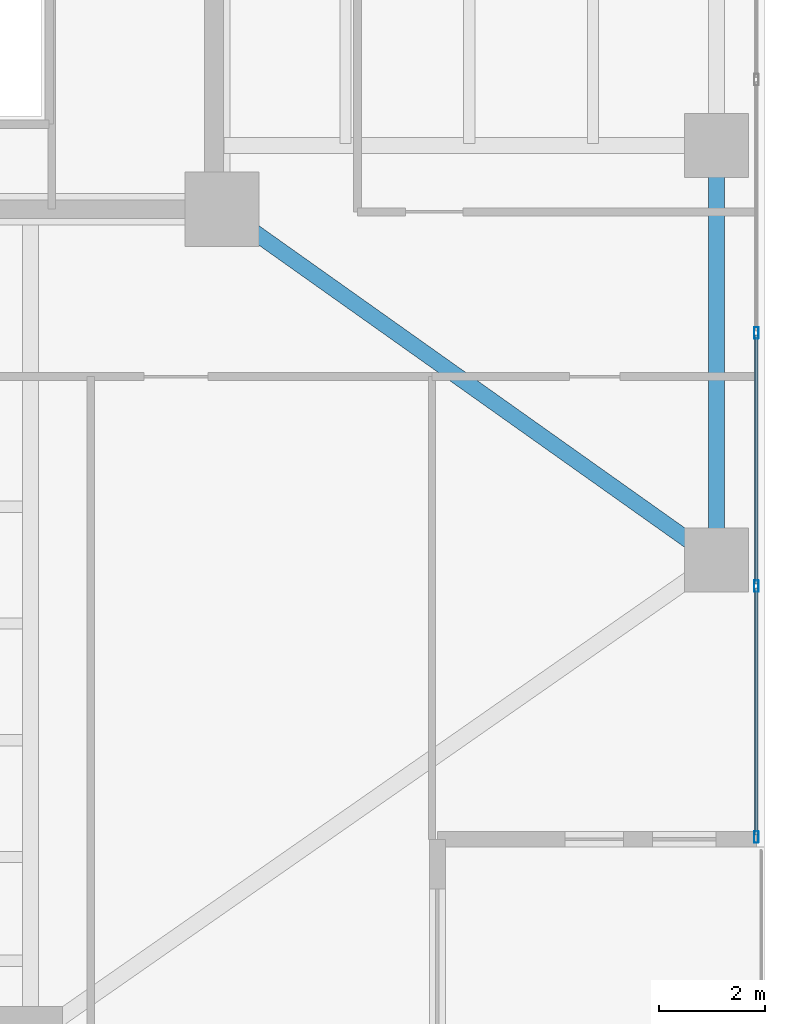
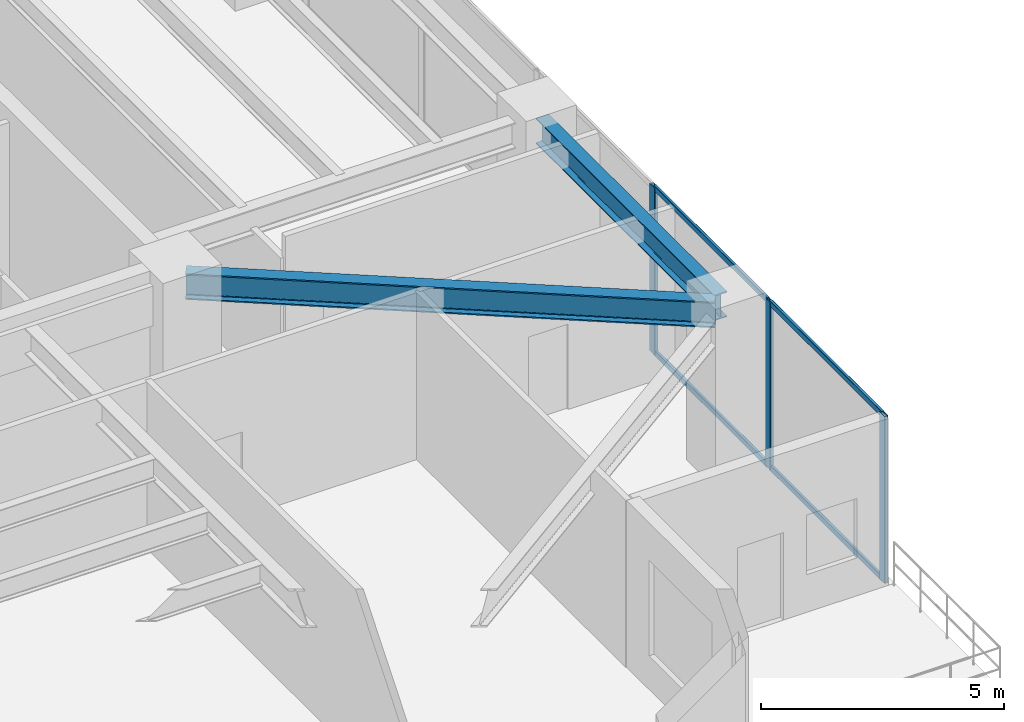
# One storey, part 13 of 40: 7 members, 2 beams, 1 element without a shape of its own.
"""IFC4 building model written with IfcOpenShell, lengths in metres."""

from ifc_helpers import new_model, si_unit, direction, frame, origin, origin_2d, place, context, subcontext, project, spatial, hollow_rectangle, i_section, extrude, material, layer, layer_set, material_profile, profile_set, type_object, element, aggregate, save


model = new_model("IFC4")

# Units and contexts
model_context = context("Model", 3, precision=1e-05, world=origin(), true_north=direction((0.0, 1.0)))
body_context = subcontext(model_context, "Body", "Model", "MODEL_VIEW")
ifc_project = project(units=[si_unit("LENGTHUNIT", "METRE"), si_unit("AREAUNIT", "SQUARE_METRE"), si_unit("VOLUMEUNIT", "CUBIC_METRE"), si_unit("PLANEANGLEUNIT", "RADIAN"), si_unit("MASSUNIT", "GRAM", prefix="KILO")], contexts=[model_context])

# Site, building, storey
site_placement = place(None, origin())
site = spatial("IfcSite", under=ifc_project, at=site_placement, CompositionType="ELEMENT")
building_placement = place(site_placement, origin())
building = spatial("IfcBuilding", under=site, at=building_placement, Name="Tarnavaz Court Tower", CompositionType="ELEMENT")
storey_placement = place(building_placement, frame((0.0, 0.0, 64.199951171875)))
storey = spatial("IfcBuildingStorey", under=building, at=storey_placement, Name="L17", CompositionType="ELEMENT", Elevation=64.199951171875)

# Beams
ifc_material_1 = material(Name="Steel S355", Category="steel")
ifc_material_profile_1 = material_profile(ifc_material_1, i_section(OverallWidth=0.300048828125, OverallDepth=0.64990234375, WebThickness=0.01611328125, FlangeThickness=0.031005859375, FilletRadius=0.027099609375, at=origin_2d()), Name="HEB 650")
ifc_profile_set_1 = profile_set([ifc_material_profile_1], Name="Steel S355")
beam_type_1 = type_object("IfcBeamType", Name="BM-G-HEB650", PredefinedType="USERDEFINED", material=ifc_profile_set_1)
beam_1_placement = place(storey_placement, frame((18.779296875, -7.327392578125, 3.875), z_axis=(0.815520027245, -0.578728852886, 0.0), x_axis=(0.578728852886, 0.815520027245, 0.0)))
element("IfcBeam", 1, at=beam_1_placement, inside=storey, type_object=beam_type_1, Name="L17 Beam RG-11", ObjectType="GIRDER", PredefinedType="USERDEFINED", context=body_context, shape_type="SweptSolid", body=[
    extrude(i_section(OverallWidth=0.300048828125, OverallDepth=0.64990234375, WebThickness=0.01611328125, FlangeThickness=0.031005859375, FilletRadius=0.027099609375, at=origin_2d()), origin(), (0.0, 0.0, 1.0), 10.964111328125),
])
ifc_material_profile_2 = material_profile(ifc_material_1, i_section(OverallWidth=0.300048828125, OverallDepth=0.639892578125, WebThickness=0.013427734375, FlangeThickness=0.02587890625, FilletRadius=0.027099609375, at=origin_2d()), Name="HEA 650")
ifc_profile_set_2 = profile_set([ifc_material_profile_2], Name="Steel S355")
beam_type_2 = type_object("IfcBeamType", Name="BM-SP-HEA650", PredefinedType="SPANDREL", material=ifc_profile_set_2)
beam_2_placement = place(storey_placement, frame((27.89990234375, -13.580078125, 3.880126953125), z_axis=(0.0, 1.0, 0.0), x_axis=(-1.0, 0.0, 0.0)))
element("IfcBeam", 2, at=beam_2_placement, inside=storey, type_object=beam_type_2, Name="L17 Beam PR-PE-1-PE-2", PredefinedType="SPANDREL", context=body_context, shape_type="SweptSolid", body=[
    extrude(i_section(OverallWidth=0.300048828125, OverallDepth=0.639892578125, WebThickness=0.013427734375, FlangeThickness=0.02587890625, FilletRadius=0.027099609375, at=origin_2d()), origin(), (0.0, 0.0, 1.0), 7.360107421875),
])

# Curtain wall, members
ifc_material_2 = material(Name="Anodised Aluminium 6063-T6 and Solar Low-E Glazing", Category="aluminium")
ifc_layer = layer(ifc_material_2, 0.199951171875)
ifc_layer_set = layer_set([ifc_layer], Name="Anodised Aluminium 6063-T6 and Solar Low-E Glazing")
curtain_wall_type = type_object("IfcCurtainWallType", Name="CW-SYS-05", PredefinedType="NOTDEFINED", material=ifc_layer_set)
curtain_wall_placement = place(storey_placement, origin())
curtain_wall = element("IfcCurtainWall", 3, at=curtain_wall_placement, inside=storey, type_object=curtain_wall_type, Name="L17 Sky-Portal Curtain Wall 12", PredefinedType="NOTDEFINED")
ifc_material_3 = material(Name="Anodised Aluminium 6063-T6", Category="aluminium")
ifc_material_profile_3 = material_profile(ifc_material_3, hollow_rectangle(XDim=0.0849609375, YDim=0.219970703125, WallThickness=0.006103515625, InnerFilletRadius=0.006103515625, OuterFilletRadius=0.011962890625, at=origin_2d()), Name="ALU RHS 220X85X6")
ifc_profile_set_3 = profile_set([ifc_material_profile_3], Name="Anodised Aluminium 6063-T6")
member_type_1 = type_object("IfcMemberType", Name="CW-MUL-220", PredefinedType="MULLION", material=ifc_profile_set_3)
member_1_placement = place(storey_placement, frame((28.64990234375, -9.52490234375, 0.0), z_axis=(0.0, 0.0, 1.0), x_axis=(1.0, 0.0, 0.0)))
member_1 = element("IfcMember", 4, at=member_1_placement, type_object=member_type_1, Name="CW mullion 7", PredefinedType="MULLION", context=body_context, shape_type="SweptSolid", body=[
    extrude(hollow_rectangle(XDim=0.0849609375, YDim=0.219970703125, WallThickness=0.006103515625, InnerFilletRadius=0.006103515625, OuterFilletRadius=0.011962890625, at=origin_2d()), origin(), (0.0, 0.0, 1.0), 4.199951171875),
])
member_2_placement = place(storey_placement, frame((28.64990234375, -14.28759765625, 0.0), z_axis=(0.0, 0.0, 1.0), x_axis=(1.0, 0.0, 0.0)))
member_2 = element("IfcMember", 5, at=member_2_placement, type_object=member_type_1, Name="CW mullion 8", PredefinedType="MULLION", context=body_context, shape_type="SweptSolid", body=[
    extrude(hollow_rectangle(XDim=0.0849609375, YDim=0.219970703125, WallThickness=0.006103515625, InnerFilletRadius=0.006103515625, OuterFilletRadius=0.011962890625, at=origin_2d()), origin(), (0.0, 0.0, 1.0), 4.199951171875),
])
member_3_placement = place(storey_placement, frame((28.64990234375, -19.007568359375, 0.0), z_axis=(0.0, 0.0, 1.0), x_axis=(1.0, 0.0, 0.0)))
member_3 = element("IfcMember", 6, at=member_3_placement, type_object=member_type_1, Name="CW mullion 9", PredefinedType="MULLION", context=body_context, shape_type="SweptSolid", body=[
    extrude(hollow_rectangle(XDim=0.0849609375, YDim=0.219970703125, WallThickness=0.006103515625, InnerFilletRadius=0.006103515625, OuterFilletRadius=0.011962890625, at=origin_2d()), origin(), (0.0, 0.0, 1.0), 4.199951171875),
])
ifc_material_profile_4 = material_profile(ifc_material_3, hollow_rectangle(XDim=0.06494140625, YDim=0.139892578125, WallThickness=0.00390625, InnerFilletRadius=0.00390625, OuterFilletRadius=0.008056640625, at=origin_2d()), Name="ALU RHS 140X65X4")
ifc_profile_set_4 = profile_set([ifc_material_profile_4], Name="Anodised Aluminium 6063-T6")
member_type_2 = type_object("IfcMemberType", Name="CW-TRN-140", PredefinedType="USERDEFINED", material=ifc_profile_set_4)
member_4_placement = place(storey_placement, frame((28.64990234375, -9.5673828125, 0.032470703125), z_axis=(0.0, -1.0, 0.0), x_axis=(1.0, 0.0, 0.0)))
member_4 = element("IfcMember", 7, at=member_4_placement, type_object=member_type_2, Name="CW transom 7.1", ObjectType="TRANSOM", PredefinedType="USERDEFINED", context=body_context, shape_type="SweptSolid", body=[
    extrude(hollow_rectangle(XDim=0.06494140625, YDim=0.139892578125, WallThickness=0.00390625, InnerFilletRadius=0.00390625, OuterFilletRadius=0.008056640625, at=origin_2d()), origin(), (0.0, 0.0, 1.0), 4.677734375),
])
member_5_placement = place(storey_placement, frame((28.64990234375, -9.5673828125, 4.16748046875), z_axis=(0.0, -1.0, 0.0), x_axis=(1.0, 0.0, 0.0)))
member_5 = element("IfcMember", 8, at=member_5_placement, type_object=member_type_2, Name="CW transom 7.2", ObjectType="TRANSOM", PredefinedType="USERDEFINED", context=body_context, shape_type="SweptSolid", body=[
    extrude(hollow_rectangle(XDim=0.06494140625, YDim=0.139892578125, WallThickness=0.00390625, InnerFilletRadius=0.00390625, OuterFilletRadius=0.008056640625, at=origin_2d()), origin(), (0.0, 0.0, 1.0), 4.677734375),
])
member_6_placement = place(storey_placement, frame((28.64990234375, -14.330078125, 0.032470703125), z_axis=(0.0, -1.0, 0.0), x_axis=(1.0, 0.0, 0.0)))
member_6 = element("IfcMember", 9, at=member_6_placement, type_object=member_type_2, Name="CW transom 8.1", ObjectType="TRANSOM", PredefinedType="USERDEFINED", context=body_context, shape_type="SweptSolid", body=[
    extrude(hollow_rectangle(XDim=0.06494140625, YDim=0.139892578125, WallThickness=0.00390625, InnerFilletRadius=0.00390625, OuterFilletRadius=0.008056640625, at=origin_2d()), origin(), (0.0, 0.0, 1.0), 4.635009765625),
])
member_7_placement = place(storey_placement, frame((28.64990234375, -14.330078125, 4.16748046875), z_axis=(0.0, -1.0, 0.0), x_axis=(1.0, 0.0, 0.0)))
member_7 = element("IfcMember", 10, at=member_7_placement, type_object=member_type_2, Name="CW transom 8.2", ObjectType="TRANSOM", PredefinedType="USERDEFINED", context=body_context, shape_type="SweptSolid", body=[
    extrude(hollow_rectangle(XDim=0.06494140625, YDim=0.139892578125, WallThickness=0.00390625, InnerFilletRadius=0.00390625, OuterFilletRadius=0.008056640625, at=origin_2d()), origin(), (0.0, 0.0, 1.0), 4.635009765625),
])
aggregate(curtain_wall, [member_1, member_2, member_3, member_4, member_5, member_6, member_7])

save(model, "model.ifc")
